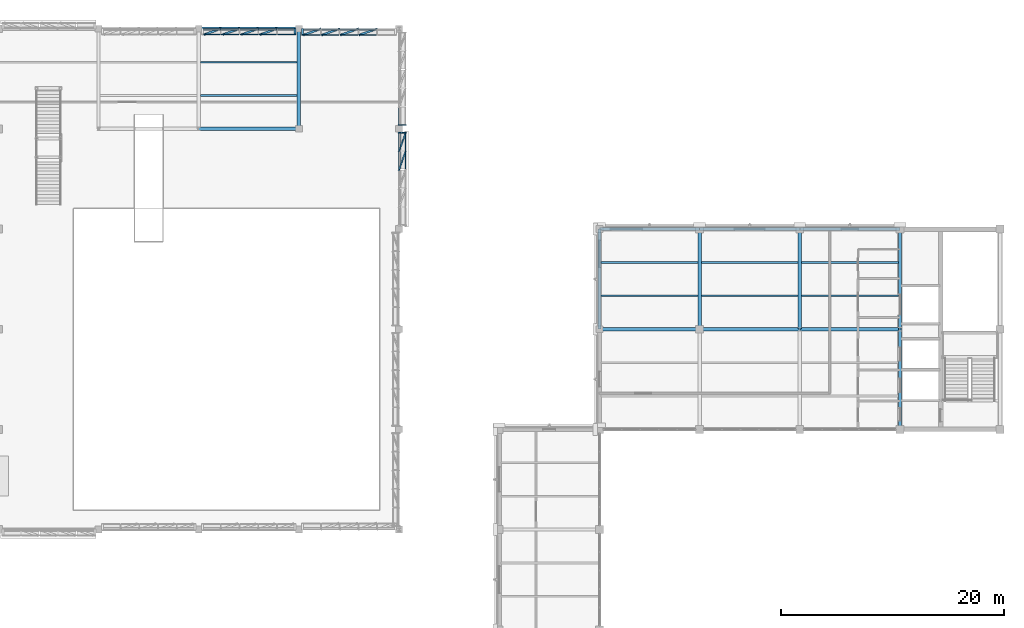
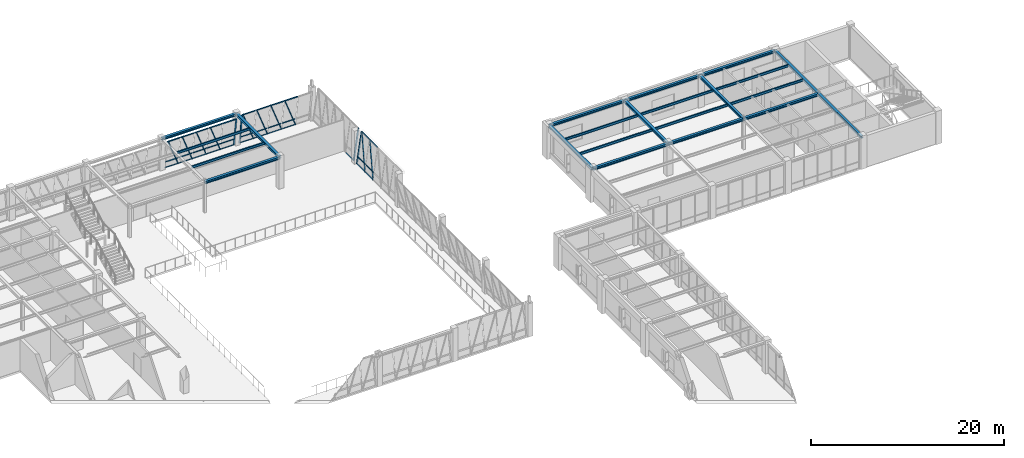
# One storey, part 72 of 108: 48 members, 22 beams, 4 elements without a shape of their own.
"""IFC4 building model written with IfcOpenShell, lengths in metres."""

from ifc_helpers import new_model, si_unit, direction, frame, origin, origin_2d, place, context, subcontext, project, spatial, hollow_rectangle, i_section, extrude, material, material_profile, profile_set, type_object, element, aggregate, save


model = new_model("IFC4")

# Units and contexts
model_context = context("Model", 3, precision=1e-05, world=origin(), true_north=direction((0.0, 1.0)))
body_context = subcontext(model_context, "Body", "Model", "MODEL_VIEW")
ifc_project = project(units=[si_unit("LENGTHUNIT", "METRE"), si_unit("AREAUNIT", "SQUARE_METRE"), si_unit("VOLUMEUNIT", "CUBIC_METRE"), si_unit("PLANEANGLEUNIT", "RADIAN"), si_unit("MASSUNIT", "GRAM", prefix="KILO")], contexts=[model_context])

# Site, building, storey
site_placement = place(None, origin())
site = spatial("IfcSite", under=ifc_project, at=site_placement, CompositionType="ELEMENT")
building_placement = place(site_placement, origin())
building = spatial("IfcBuilding", under=site, at=building_placement, Name="Lykobir Media Centre", CompositionType="ELEMENT")
storey_placement = place(building_placement, frame((0.0, 0.0, 15.0)))
storey = spatial("IfcBuildingStorey", under=building, at=storey_placement, Name="L03", CompositionType="ELEMENT", Elevation=15.0)

# Beams
ifc_material_1 = material(Name="Steel S355", Category="steel")
ifc_material_profile_1 = material_profile(ifc_material_1, i_section(OverallWidth=0.300048828125, OverallDepth=0.31005859375, WebThickness=0.009033203125, FlangeThickness=0.015380859375, at=origin_2d()), Name="HEA 320")
ifc_profile_set_1 = profile_set([ifc_material_profile_1], Name="Steel S355")
beam_type_1 = type_object("IfcBeamType", Name="BM-HEA320", PredefinedType="BEAM", material=ifc_profile_set_1)
for number, where, z_axis, x_axis, name in (
    (1, (72.0, 99.0, 3.804931640625), (0.0, 1.0, 0.0), (-1.0, 0.0, 0.0), "Beam BM-L03-0720-0990-0720-1080-1880"),
    (2, (99.0, 81.0, 3.804931640625), (0.0, 1.0, 0.0), (-1.0, 0.0, 0.0), "Beam BM-L03-0990-0810-0990-0900-1880"),
    (3, (108.0, 81.0, 3.804931640625), (0.0, 1.0, 0.0), (-1.0, 0.0, 0.0), "Beam BM-L03-1080-0810-1080-0900-1880"),
    (4, (117.0, 81.0, 3.804931640625), (0.0, 1.0, 0.0), (-1.0, 0.0, 0.0), "Beam BM-L03-1170-0810-1170-0900-1880"),
    (5, (126.0, 72.0, 3.804931640625), (0.0, 1.0, 0.0), (-1.0, 0.0, 0.0), "Beam BM-L03-1260-0720-1260-0810-1880"),
    (6, (126.0, 81.0, 3.804931640625), (0.0, 1.0, 0.0), (-1.0, 0.0, 0.0), "Beam BM-L03-1260-0810-1260-0900-1880"),
):
    element("IfcBeam", number, at=place(storey_placement, frame(where, z_axis=z_axis, x_axis=x_axis)), inside=storey, type_object=beam_type_1, Name=name, PredefinedType="BEAM", context=body_context, shape_type="SweptSolid", body=[
        extrude(i_section(OverallWidth=0.300048828125, OverallDepth=0.31005859375, WebThickness=0.009033203125, FlangeThickness=0.015380859375, at=origin_2d()), origin(), (0.0, 0.0, 1.0), 9.0),
    ])
ifc_material_profile_2 = material_profile(ifc_material_1, i_section(OverallWidth=0.300048828125, OverallDepth=0.330078125, WebThickness=0.009521484375, FlangeThickness=0.0166015625, at=origin_2d()), Name="HEA 340")
ifc_profile_set_2 = profile_set([ifc_material_profile_2], Name="Steel S355")
beam_type_2 = type_object("IfcBeamType", Name="BM-HEA340", PredefinedType="BEAM", material=ifc_profile_set_2)
for number, where, z_axis, x_axis, name in (
    (7, (99.0, 81.0, 3.794921875), (1.0, 0.0, 0.0), (0.0, 1.0, 0.0), "Beam BM-L03-0990-0810-1080-0810-1880"),
    (8, (108.0, 81.0, 3.794921875), (1.0, 0.0, 0.0), (0.0, 1.0, 0.0), "Beam BM-L03-1080-0810-1170-0810-1880"),
    (9, (117.0, 81.0, 3.794921875), (1.0, 0.0, 0.0), (0.0, 1.0, 0.0), "Beam BM-L03-1170-0810-1260-0810-1880"),
    (10, (63.0, 99.0, 3.794921875), (1.0, 0.0, 0.0), (0.0, 1.0, 0.0), "Beam BM-L03-0630-0990-0720-0990-1880"),
):
    element("IfcBeam", number, at=place(storey_placement, frame(where, z_axis=z_axis, x_axis=x_axis)), inside=storey, type_object=beam_type_2, Name=name, PredefinedType="BEAM", context=body_context, shape_type="SweptSolid", body=[
        extrude(i_section(OverallWidth=0.300048828125, OverallDepth=0.330078125, WebThickness=0.009521484375, FlangeThickness=0.0166015625, at=origin_2d()), origin(), (0.0, 0.0, 1.0), 9.0),
    ])

# Curtain wall, members
ifc_material_2 = material(Name="Anodized Aluminium AW-6060", Category="aluminium")
curtain_wall_type = type_object("IfcCurtainWallType", Name="CW-V6-CR3", PredefinedType="NOTDEFINED", material=ifc_material_2)
curtain_wall_1_placement = place(storey_placement, origin())
curtain_wall_1 = element("IfcCurtainWall", 11, at=curtain_wall_1_placement, inside=storey, type_object=curtain_wall_type, Name="Curtain wall CW2-L03-0128", PredefinedType="NOTDEFINED")
ifc_material_profile_3 = material_profile(ifc_material_2, hollow_rectangle(XDim=0.074951171875, YDim=0.179931640625, WallThickness=0.00390625, at=origin_2d()), Name="ALU MULLION 75x180")
ifc_profile_set_3 = profile_set([ifc_material_profile_3], Name="Anodized Aluminium AW-6060")
member_type_1 = type_object("IfcMemberType", Name="CWM-180", PredefinedType="MULLION", material=ifc_profile_set_3)
member_1_placement = place(storey_placement, frame((81.0, 95.339111328125, 0.0), z_axis=(0.132271466696, 0.374579600655, 0.917711491631), x_axis=(0.942937465835, -0.332969871798, 0.0)))
member_1 = element("IfcMember", 12, at=member_1_placement, type_object=member_type_1, Name="CW2-L03-0128 mullion 4", PredefinedType="MULLION", context=body_context, shape_type="SweptSolid", body=[
    extrude(hollow_rectangle(XDim=0.074951171875, YDim=0.179931640625, WallThickness=0.00390625, at=origin_2d()), origin(), (0.0, 0.0, 1.0), 4.293212890625),
])
member_2_placement = place(storey_placement, frame((81.0, 97.01708984375, 0.0), z_axis=(0.132760683435, 0.365976570158, 0.921105721961), x_axis=(0.94005853495, -0.341013124188, 0.0)))
member_2 = element("IfcMember", 13, at=member_2_placement, type_object=member_type_1, Name="CW2-L03-0128 mullion 5", PredefinedType="MULLION", context=body_context, shape_type="SweptSolid", body=[
    extrude(hollow_rectangle(XDim=0.074951171875, YDim=0.179931640625, WallThickness=0.00390625, at=origin_2d()), origin(), (0.0, 0.0, 1.0), 4.27734375),
])
member_3_placement = place(storey_placement, frame((81.0, 98.657470703125, 0.0), z_axis=(0.142657694389, 0.0, 0.989772086003), x_axis=(0.0, -1.0, 0.0)))
member_3 = element("IfcMember", 14, at=member_3_placement, type_object=member_type_1, Name="CW2-L03-0128 mullion 6", PredefinedType="MULLION", context=body_context, shape_type="SweptSolid", body=[
    extrude(hollow_rectangle(XDim=0.074951171875, YDim=0.179931640625, WallThickness=0.00390625, at=origin_2d()), origin(), (0.0, 0.0, 1.0), 3.980712890625),
])

# Curtain wall, member
curtain_wall_2_placement = place(storey_placement, origin())
curtain_wall_2 = element("IfcCurtainWall", 15, at=curtain_wall_2_placement, inside=storey, type_object=curtain_wall_type, Name="Curtain wall CW2-L03-0129", PredefinedType="NOTDEFINED")
member_4_placement = place(storey_placement, frame((81.0, 99.342529296875, 0.0), z_axis=(0.142657694389, 0.0, 0.989772086003), x_axis=(0.0, -1.0, 0.0)))
member_4 = element("IfcMember", 16, at=member_4_placement, type_object=member_type_1, Name="CW2-L03-0129 mullion 1", PredefinedType="MULLION", context=body_context, shape_type="SweptSolid", body=[
    extrude(hollow_rectangle(XDim=0.074951171875, YDim=0.179931640625, WallThickness=0.00390625, at=origin_2d()), origin(), (0.0, 0.0, 1.0), 3.980712890625),
])

# Curtain wall, members
curtain_wall_3_placement = place(storey_placement, origin())
curtain_wall_3 = element("IfcCurtainWall", 17, at=curtain_wall_3_placement, inside=storey, type_object=curtain_wall_type, Name="Curtain wall CW2-L03-0133", PredefinedType="NOTDEFINED")
member_5_placement = place(storey_placement, frame((64.98291015625, 108.0, 0.0), z_axis=(-0.374572027629, -0.132212769337, 0.917723040869), x_axis=(0.865396069103, 0.305459037062, 0.397220870874)))
member_5 = element("IfcMember", 18, at=member_5_placement, type_object=member_type_1, Name="CW2-L03-0133 mullion 2", PredefinedType="MULLION", context=body_context, shape_type="SweptSolid", body=[
    extrude(hollow_rectangle(XDim=0.074951171875, YDim=0.179931640625, WallThickness=0.00390625, at=origin_2d()), origin(), (0.0, 0.0, 1.0), 3.9609375),
])
member_6_placement = place(storey_placement, frame((66.660888671875, 108.0, 0.0), z_axis=(-0.374572027629, -0.132212769337, 0.917723040869), x_axis=(0.865396069103, 0.305459037062, 0.397220870874)))
member_6 = element("IfcMember", 19, at=member_6_placement, type_object=member_type_1, Name="CW2-L03-0133 mullion 3", PredefinedType="MULLION", context=body_context, shape_type="SweptSolid", body=[
    extrude(hollow_rectangle(XDim=0.074951171875, YDim=0.179931640625, WallThickness=0.00390625, at=origin_2d()), origin(), (0.0, 0.0, 1.0), 3.9609375),
])
member_7_placement = place(storey_placement, frame((68.339111328125, 108.0, 0.0), z_axis=(-0.374625015426, -0.132209716698, 0.917701851708), x_axis=(0.865391860701, 0.305407295361, 0.397269821875)))
member_7 = element("IfcMember", 20, at=member_7_placement, type_object=member_type_1, Name="CW2-L03-0133 mullion 4", PredefinedType="MULLION", context=body_context, shape_type="SweptSolid", body=[
    extrude(hollow_rectangle(XDim=0.074951171875, YDim=0.179931640625, WallThickness=0.00390625, at=origin_2d()), origin(), (0.0, 0.0, 1.0), 3.9609375),
])
member_8_placement = place(storey_placement, frame((70.01708984375, 108.0, 0.0), z_axis=(-0.374625015426, -0.132209716698, 0.917701851708), x_axis=(0.865391860701, 0.305407295361, 0.397269821875)))
member_8 = element("IfcMember", 21, at=member_8_placement, type_object=member_type_1, Name="CW2-L03-0133 mullion 5", PredefinedType="MULLION", context=body_context, shape_type="SweptSolid", body=[
    extrude(hollow_rectangle(XDim=0.074951171875, YDim=0.179931640625, WallThickness=0.00390625, at=origin_2d()), origin(), (0.0, 0.0, 1.0), 3.9609375),
])
member_9_placement = place(storey_placement, frame((71.657470703125, 108.0, 0.0), z_axis=(0.0, -0.142593917485, 0.98978127619), x_axis=(0.0, 0.98978127619, 0.142593917485)))
member_9 = element("IfcMember", 22, at=member_9_placement, type_object=member_type_1, Name="CW2-L03-0133 mullion 6", PredefinedType="MULLION", context=body_context, shape_type="SweptSolid", body=[
    extrude(hollow_rectangle(XDim=0.074951171875, YDim=0.179931640625, WallThickness=0.00390625, at=origin_2d()), origin(), (0.0, 0.0, 1.0), 3.672607421875),
])

curtain_wall_4_placement = place(storey_placement, origin())
curtain_wall_4 = element("IfcCurtainWall", 23, at=curtain_wall_4_placement, inside=storey, type_object=curtain_wall_type, Name="Curtain wall CW2-L03-0134", PredefinedType="NOTDEFINED")
member_10_placement = place(storey_placement, frame((72.342529296875, 108.0, 0.0), z_axis=(0.0, -0.142657694389, 0.989772086003), x_axis=(0.0, 0.989772086003, 0.142657694389)))
member_10 = element("IfcMember", 24, at=member_10_placement, type_object=member_type_1, Name="CW2-L03-0134 mullion 1", PredefinedType="MULLION", context=body_context, shape_type="SweptSolid", body=[
    extrude(hollow_rectangle(XDim=0.074951171875, YDim=0.179931640625, WallThickness=0.00390625, at=origin_2d()), origin(), (0.0, 0.0, 1.0), 3.980712890625),
])
member_11_placement = place(storey_placement, frame((73.98291015625, 108.0, 0.0), z_axis=(-0.365976570158, -0.132760683435, 0.921105721961), x_axis=(0.86589329552, 0.314109139953, 0.389312533796)))
member_11 = element("IfcMember", 25, at=member_11_placement, type_object=member_type_1, Name="CW2-L03-0134 mullion 2", PredefinedType="MULLION", context=body_context, shape_type="SweptSolid", body=[
    extrude(hollow_rectangle(XDim=0.074951171875, YDim=0.179931640625, WallThickness=0.00390625, at=origin_2d()), origin(), (0.0, 0.0, 1.0), 4.27734375),
])
member_12_placement = place(storey_placement, frame((75.660888671875, 108.0, 0.0), z_axis=(-0.374579600655, -0.132271466696, 0.917711491631), x_axis=(0.865344548286, 0.305570277716, 0.397247552703)))
member_12 = element("IfcMember", 26, at=member_12_placement, type_object=member_type_1, Name="CW2-L03-0134 mullion 3", PredefinedType="MULLION", context=body_context, shape_type="SweptSolid", body=[
    extrude(hollow_rectangle(XDim=0.074951171875, YDim=0.179931640625, WallThickness=0.00390625, at=origin_2d()), origin(), (0.0, 0.0, 1.0), 4.293212890625),
])
member_13_placement = place(storey_placement, frame((77.339111328125, 108.0, 0.0), z_axis=(-0.374628486657, -0.132268649053, 0.917691942573), x_axis=(0.865340676514, 0.305522527865, 0.397292711407)))
member_13 = element("IfcMember", 27, at=member_13_placement, type_object=member_type_1, Name="CW2-L03-0134 mullion 4", PredefinedType="MULLION", context=body_context, shape_type="SweptSolid", body=[
    extrude(hollow_rectangle(XDim=0.074951171875, YDim=0.179931640625, WallThickness=0.00390625, at=origin_2d()), origin(), (0.0, 0.0, 1.0), 4.293212890625),
])
member_14_placement = place(storey_placement, frame((79.01708984375, 108.0, 0.0), z_axis=(-0.374628486657, -0.132268649053, 0.917691942573), x_axis=(0.865340676514, 0.305522527865, 0.397292711407)))
member_14 = element("IfcMember", 28, at=member_14_placement, type_object=member_type_1, Name="CW2-L03-0134 mullion 5", PredefinedType="MULLION", context=body_context, shape_type="SweptSolid", body=[
    extrude(hollow_rectangle(XDim=0.074951171875, YDim=0.179931640625, WallThickness=0.00390625, at=origin_2d()), origin(), (0.0, 0.0, 1.0), 4.293212890625),
])

# Member
ifc_material_profile_4 = material_profile(ifc_material_2, hollow_rectangle(XDim=0.074951171875, YDim=0.14990234375, WallThickness=0.00341796875, at=origin_2d()), Name="ALU TRANSOM 75x150")
ifc_profile_set_4 = profile_set([ifc_material_profile_4], Name="Anodized Aluminium AW-6060")
member_type_2 = type_object("IfcMemberType", Name="CWT-150", PredefinedType="USERDEFINED", material=ifc_profile_set_4)
member_15_placement = place(storey_placement, frame((81.00537109375, 95.37646484375, 0.037109375), z_axis=(0.0, 1.0, 0.0), x_axis=(-0.989776230908, 0.0, 0.142628933706)))
member_15 = element("IfcMember", 29, at=member_15_placement, type_object=member_type_2, Name="CW2-L03-0128 transom 4.1", ObjectType="TRANSOM", PredefinedType="USERDEFINED", context=body_context, shape_type="SweptSolid", body=[
    extrude(hollow_rectangle(XDim=0.074951171875, YDim=0.14990234375, WallThickness=0.00341796875, at=origin_2d()), origin(), (0.0, 0.0, 1.0), 1.60302734375),
])

member_16_placement = place(storey_placement, frame((81.12109375, 95.37646484375, 0.84130859375), z_axis=(0.0, 1.0, 0.0), x_axis=(-0.989776230908, 0.0, 0.142628933706)))
member_16 = element("IfcMember", 30, at=member_16_placement, type_object=member_type_2, Name="CW2-L03-0128 transom 4.2", ObjectType="TRANSOM", PredefinedType="USERDEFINED", context=body_context, shape_type="SweptSolid", body=[
    extrude(hollow_rectangle(XDim=0.074951171875, YDim=0.14990234375, WallThickness=0.00341796875, at=origin_2d()), origin(), (0.0, 0.0, 1.0), 1.60302734375),
])

member_17_placement = place(storey_placement, frame((81.5625, 95.37646484375, 3.90283203125), z_axis=(0.0, 1.0, 0.0), x_axis=(-0.989776230908, 0.0, 0.142628933706)))
member_17 = element("IfcMember", 31, at=member_17_placement, type_object=member_type_2, Name="CW2-L03-0128 transom 4.3", ObjectType="TRANSOM", PredefinedType="USERDEFINED", context=body_context, shape_type="SweptSolid", body=[
    extrude(hollow_rectangle(XDim=0.074951171875, YDim=0.14990234375, WallThickness=0.00341796875, at=origin_2d()), origin(), (0.0, 0.0, 1.0), 1.60302734375),
])

member_18_placement = place(storey_placement, frame((81.00537109375, 97.054443359375, 0.037109375), z_axis=(0.0, 1.0, 0.0), x_axis=(-0.989776230908, 0.0, 0.142628933706)))
member_18 = element("IfcMember", 32, at=member_18_placement, type_object=member_type_2, Name="CW2-L03-0128 transom 5.1", ObjectType="TRANSOM", PredefinedType="USERDEFINED", context=body_context, shape_type="SweptSolid", body=[
    extrude(hollow_rectangle(XDim=0.074951171875, YDim=0.14990234375, WallThickness=0.00341796875, at=origin_2d()), origin(), (0.0, 0.0, 1.0), 1.565673828125),
])

member_19_placement = place(storey_placement, frame((81.12109375, 97.054443359375, 0.84130859375), z_axis=(0.0, 1.0, 0.0), x_axis=(-0.989776230908, 0.0, 0.142628933706)))
member_19 = element("IfcMember", 33, at=member_19_placement, type_object=member_type_2, Name="CW2-L03-0128 transom 5.2", ObjectType="TRANSOM", PredefinedType="USERDEFINED", context=body_context, shape_type="SweptSolid", body=[
    extrude(hollow_rectangle(XDim=0.074951171875, YDim=0.14990234375, WallThickness=0.00341796875, at=origin_2d()), origin(), (0.0, 0.0, 1.0), 1.565673828125),
])

member_20_placement = place(storey_placement, frame((81.5625, 97.054443359375, 3.90283203125), z_axis=(0.0, 1.0, 0.0), x_axis=(-0.989776230908, 0.0, 0.142628933706)))
member_20 = element("IfcMember", 34, at=member_20_placement, type_object=member_type_2, Name="CW2-L03-0128 transom 5.3", ObjectType="TRANSOM", PredefinedType="USERDEFINED", context=body_context, shape_type="SweptSolid", body=[
    extrude(hollow_rectangle(XDim=0.074951171875, YDim=0.14990234375, WallThickness=0.00341796875, at=origin_2d()), origin(), (0.0, 0.0, 1.0), 1.565673828125),
])

aggregate(curtain_wall_1, [member_1, member_2, member_3, member_15, member_16, member_17, member_18, member_19, member_20])

member_21_placement = place(storey_placement, frame((81.00537109375, 99.3798828125, 0.037109375), z_axis=(0.0, 1.0, 0.0), x_axis=(-0.989776230908, 0.0, 0.142628933706)))
member_21 = element("IfcMember", 35, at=member_21_placement, type_object=member_type_2, Name="CW2-L03-0129 transom 1.1", ObjectType="TRANSOM", PredefinedType="USERDEFINED", context=body_context, shape_type="SweptSolid", body=[
    extrude(hollow_rectangle(XDim=0.074951171875, YDim=0.14990234375, WallThickness=0.00341796875, at=origin_2d()), origin(), (0.0, 0.0, 1.0), 1.565673828125),
])

aggregate(curtain_wall_2, [member_4, member_21])

member_22_placement = place(storey_placement, frame((63.3798828125, 107.99462890625, 0.037109375), z_axis=(1.0, 0.0, 0.0), x_axis=(0.0, 0.989776230908, 0.142628933706)))
member_22 = element("IfcMember", 36, at=member_22_placement, type_object=member_type_2, Name="CW2-L03-0133 transom 1.1", ObjectType="TRANSOM", PredefinedType="USERDEFINED", context=body_context, shape_type="SweptSolid", body=[
    extrude(hollow_rectangle(XDim=0.074951171875, YDim=0.14990234375, WallThickness=0.00341796875, at=origin_2d()), origin(), (0.0, 0.0, 1.0), 1.565673828125),
])

member_23_placement = place(storey_placement, frame((63.3798828125, 107.87890625, 0.84130859375), z_axis=(1.0, 0.0, 0.0), x_axis=(0.0, 0.989776230908, 0.142628933706)))
member_23 = element("IfcMember", 37, at=member_23_placement, type_object=member_type_2, Name="CW2-L03-0133 transom 1.2", ObjectType="TRANSOM", PredefinedType="USERDEFINED", context=body_context, shape_type="SweptSolid", body=[
    extrude(hollow_rectangle(XDim=0.074951171875, YDim=0.14990234375, WallThickness=0.00341796875, at=origin_2d()), origin(), (0.0, 0.0, 1.0), 1.565673828125),
])

member_24_placement = place(storey_placement, frame((63.3798828125, 107.4814453125, 3.597900390625), z_axis=(1.0, 0.0, 0.0), x_axis=(0.0, 0.989776230908, 0.142628933706)))
member_24 = element("IfcMember", 38, at=member_24_placement, type_object=member_type_2, Name="CW2-L03-0133 transom 1.3", ObjectType="TRANSOM", PredefinedType="USERDEFINED", context=body_context, shape_type="SweptSolid", body=[
    extrude(hollow_rectangle(XDim=0.074951171875, YDim=0.14990234375, WallThickness=0.00341796875, at=origin_2d()), origin(), (0.0, 0.0, 1.0), 1.565673828125),
])

member_25_placement = place(storey_placement, frame((65.0205078125, 107.99462890625, 0.037109375), z_axis=(1.0, 0.0, 0.0), x_axis=(0.0, 0.989776230908, 0.142628933706)))
member_25 = element("IfcMember", 39, at=member_25_placement, type_object=member_type_2, Name="CW2-L03-0133 transom 2.1", ObjectType="TRANSOM", PredefinedType="USERDEFINED", context=body_context, shape_type="SweptSolid", body=[
    extrude(hollow_rectangle(XDim=0.074951171875, YDim=0.14990234375, WallThickness=0.00341796875, at=origin_2d()), origin(), (0.0, 0.0, 1.0), 1.60302734375),
])

member_26_placement = place(storey_placement, frame((65.0205078125, 107.87890625, 0.84130859375), z_axis=(1.0, 0.0, 0.0), x_axis=(0.0, 0.989776230908, 0.142628933706)))
member_26 = element("IfcMember", 40, at=member_26_placement, type_object=member_type_2, Name="CW2-L03-0133 transom 2.2", ObjectType="TRANSOM", PredefinedType="USERDEFINED", context=body_context, shape_type="SweptSolid", body=[
    extrude(hollow_rectangle(XDim=0.074951171875, YDim=0.14990234375, WallThickness=0.00341796875, at=origin_2d()), origin(), (0.0, 0.0, 1.0), 1.60302734375),
])

member_27_placement = place(storey_placement, frame((65.0205078125, 107.4814453125, 3.597900390625), z_axis=(1.0, 0.0, 0.0), x_axis=(0.0, 0.989776230908, 0.142628933706)))
member_27 = element("IfcMember", 41, at=member_27_placement, type_object=member_type_2, Name="CW2-L03-0133 transom 2.3", ObjectType="TRANSOM", PredefinedType="USERDEFINED", context=body_context, shape_type="SweptSolid", body=[
    extrude(hollow_rectangle(XDim=0.074951171875, YDim=0.14990234375, WallThickness=0.00341796875, at=origin_2d()), origin(), (0.0, 0.0, 1.0), 1.60302734375),
])

member_28_placement = place(storey_placement, frame((66.698486328125, 107.99462890625, 0.037109375), z_axis=(1.0, 0.0, 0.0), x_axis=(0.0, 0.989776230908, 0.142628933706)))
member_28 = element("IfcMember", 42, at=member_28_placement, type_object=member_type_2, Name="CW2-L03-0133 transom 3.1", ObjectType="TRANSOM", PredefinedType="USERDEFINED", context=body_context, shape_type="SweptSolid", body=[
    extrude(hollow_rectangle(XDim=0.074951171875, YDim=0.14990234375, WallThickness=0.00341796875, at=origin_2d()), origin(), (0.0, 0.0, 1.0), 1.60302734375),
])

member_29_placement = place(storey_placement, frame((66.698486328125, 107.87890625, 0.84130859375), z_axis=(1.0, 0.0, 0.0), x_axis=(0.0, 0.989776230908, 0.142628933706)))
member_29 = element("IfcMember", 43, at=member_29_placement, type_object=member_type_2, Name="CW2-L03-0133 transom 3.2", ObjectType="TRANSOM", PredefinedType="USERDEFINED", context=body_context, shape_type="SweptSolid", body=[
    extrude(hollow_rectangle(XDim=0.074951171875, YDim=0.14990234375, WallThickness=0.00341796875, at=origin_2d()), origin(), (0.0, 0.0, 1.0), 1.60302734375),
])

member_30_placement = place(storey_placement, frame((66.698486328125, 107.4814453125, 3.597900390625), z_axis=(1.0, 0.0, 0.0), x_axis=(0.0, 0.989776230908, 0.142628933706)))
member_30 = element("IfcMember", 44, at=member_30_placement, type_object=member_type_2, Name="CW2-L03-0133 transom 3.3", ObjectType="TRANSOM", PredefinedType="USERDEFINED", context=body_context, shape_type="SweptSolid", body=[
    extrude(hollow_rectangle(XDim=0.074951171875, YDim=0.14990234375, WallThickness=0.00341796875, at=origin_2d()), origin(), (0.0, 0.0, 1.0), 1.60302734375),
])

member_31_placement = place(storey_placement, frame((68.37646484375, 107.99462890625, 0.037109375), z_axis=(1.0, 0.0, 0.0), x_axis=(0.0, 0.989776230908, 0.142628933706)))
member_31 = element("IfcMember", 45, at=member_31_placement, type_object=member_type_2, Name="CW2-L03-0133 transom 4.1", ObjectType="TRANSOM", PredefinedType="USERDEFINED", context=body_context, shape_type="SweptSolid", body=[
    extrude(hollow_rectangle(XDim=0.074951171875, YDim=0.14990234375, WallThickness=0.00341796875, at=origin_2d()), origin(), (0.0, 0.0, 1.0), 1.60302734375),
])

member_32_placement = place(storey_placement, frame((68.37646484375, 107.87890625, 0.84130859375), z_axis=(1.0, 0.0, 0.0), x_axis=(0.0, 0.989776230908, 0.142628933706)))
member_32 = element("IfcMember", 46, at=member_32_placement, type_object=member_type_2, Name="CW2-L03-0133 transom 4.2", ObjectType="TRANSOM", PredefinedType="USERDEFINED", context=body_context, shape_type="SweptSolid", body=[
    extrude(hollow_rectangle(XDim=0.074951171875, YDim=0.14990234375, WallThickness=0.00341796875, at=origin_2d()), origin(), (0.0, 0.0, 1.0), 1.60302734375),
])

member_33_placement = place(storey_placement, frame((68.37646484375, 107.4814453125, 3.597900390625), z_axis=(1.0, 0.0, 0.0), x_axis=(0.0, 0.989776230908, 0.142628933706)))
member_33 = element("IfcMember", 47, at=member_33_placement, type_object=member_type_2, Name="CW2-L03-0133 transom 4.3", ObjectType="TRANSOM", PredefinedType="USERDEFINED", context=body_context, shape_type="SweptSolid", body=[
    extrude(hollow_rectangle(XDim=0.074951171875, YDim=0.14990234375, WallThickness=0.00341796875, at=origin_2d()), origin(), (0.0, 0.0, 1.0), 1.60302734375),
])

member_34_placement = place(storey_placement, frame((70.054443359375, 107.99462890625, 0.037109375), z_axis=(1.0, 0.0, 0.0), x_axis=(0.0, 0.989776230908, 0.142628933706)))
member_34 = element("IfcMember", 48, at=member_34_placement, type_object=member_type_2, Name="CW2-L03-0133 transom 5.1", ObjectType="TRANSOM", PredefinedType="USERDEFINED", context=body_context, shape_type="SweptSolid", body=[
    extrude(hollow_rectangle(XDim=0.074951171875, YDim=0.14990234375, WallThickness=0.00341796875, at=origin_2d()), origin(), (0.0, 0.0, 1.0), 1.565673828125),
])

member_35_placement = place(storey_placement, frame((70.054443359375, 107.87890625, 0.84130859375), z_axis=(1.0, 0.0, 0.0), x_axis=(0.0, 0.989776230908, 0.142628933706)))
member_35 = element("IfcMember", 49, at=member_35_placement, type_object=member_type_2, Name="CW2-L03-0133 transom 5.2", ObjectType="TRANSOM", PredefinedType="USERDEFINED", context=body_context, shape_type="SweptSolid", body=[
    extrude(hollow_rectangle(XDim=0.074951171875, YDim=0.14990234375, WallThickness=0.00341796875, at=origin_2d()), origin(), (0.0, 0.0, 1.0), 1.565673828125),
])

member_36_placement = place(storey_placement, frame((70.054443359375, 107.4814453125, 3.597900390625), z_axis=(1.0, 0.0, 0.0), x_axis=(0.0, 0.989776230908, 0.142628933706)))
member_36 = element("IfcMember", 50, at=member_36_placement, type_object=member_type_2, Name="CW2-L03-0133 transom 5.3", ObjectType="TRANSOM", PredefinedType="USERDEFINED", context=body_context, shape_type="SweptSolid", body=[
    extrude(hollow_rectangle(XDim=0.074951171875, YDim=0.14990234375, WallThickness=0.00341796875, at=origin_2d()), origin(), (0.0, 0.0, 1.0), 1.565673828125),
])

aggregate(curtain_wall_3, [member_5, member_6, member_7, member_8, member_9, member_22, member_23, member_24, member_25, member_26, member_27, member_28, member_29, member_30, member_31, member_32, member_33, member_34, member_35, member_36])

member_37_placement = place(storey_placement, frame((72.3798828125, 107.99462890625, 0.037109375), z_axis=(1.0, 0.0, 0.0), x_axis=(0.0, 0.989776230908, 0.142628933706)))
member_37 = element("IfcMember", 51, at=member_37_placement, type_object=member_type_2, Name="CW2-L03-0134 transom 1.1", ObjectType="TRANSOM", PredefinedType="USERDEFINED", context=body_context, shape_type="SweptSolid", body=[
    extrude(hollow_rectangle(XDim=0.074951171875, YDim=0.14990234375, WallThickness=0.00341796875, at=origin_2d()), origin(), (0.0, 0.0, 1.0), 1.565673828125),
])

member_38_placement = place(storey_placement, frame((72.3798828125, 107.87890625, 0.84130859375), z_axis=(1.0, 0.0, 0.0), x_axis=(0.0, 0.989776230908, 0.142628933706)))
member_38 = element("IfcMember", 52, at=member_38_placement, type_object=member_type_2, Name="CW2-L03-0134 transom 1.2", ObjectType="TRANSOM", PredefinedType="USERDEFINED", context=body_context, shape_type="SweptSolid", body=[
    extrude(hollow_rectangle(XDim=0.074951171875, YDim=0.14990234375, WallThickness=0.00341796875, at=origin_2d()), origin(), (0.0, 0.0, 1.0), 1.565673828125),
])

member_39_placement = place(storey_placement, frame((72.3798828125, 107.4375, 3.90283203125), z_axis=(1.0, 0.0, 0.0), x_axis=(0.0, 0.989776230908, 0.142628933706)))
member_39 = element("IfcMember", 53, at=member_39_placement, type_object=member_type_2, Name="CW2-L03-0134 transom 1.3", ObjectType="TRANSOM", PredefinedType="USERDEFINED", context=body_context, shape_type="SweptSolid", body=[
    extrude(hollow_rectangle(XDim=0.074951171875, YDim=0.14990234375, WallThickness=0.00341796875, at=origin_2d()), origin(), (0.0, 0.0, 1.0), 1.565673828125),
])

member_40_placement = place(storey_placement, frame((74.0205078125, 107.99462890625, 0.037109375), z_axis=(1.0, 0.0, 0.0), x_axis=(0.0, 0.989776230908, 0.142628933706)))
member_40 = element("IfcMember", 54, at=member_40_placement, type_object=member_type_2, Name="CW2-L03-0134 transom 2.1", ObjectType="TRANSOM", PredefinedType="USERDEFINED", context=body_context, shape_type="SweptSolid", body=[
    extrude(hollow_rectangle(XDim=0.074951171875, YDim=0.14990234375, WallThickness=0.00341796875, at=origin_2d()), origin(), (0.0, 0.0, 1.0), 1.60302734375),
])

member_41_placement = place(storey_placement, frame((74.0205078125, 107.87890625, 0.84130859375), z_axis=(1.0, 0.0, 0.0), x_axis=(0.0, 0.989776230908, 0.142628933706)))
member_41 = element("IfcMember", 55, at=member_41_placement, type_object=member_type_2, Name="CW2-L03-0134 transom 2.2", ObjectType="TRANSOM", PredefinedType="USERDEFINED", context=body_context, shape_type="SweptSolid", body=[
    extrude(hollow_rectangle(XDim=0.074951171875, YDim=0.14990234375, WallThickness=0.00341796875, at=origin_2d()), origin(), (0.0, 0.0, 1.0), 1.60302734375),
])

member_42_placement = place(storey_placement, frame((74.0205078125, 107.4375, 3.90283203125), z_axis=(1.0, 0.0, 0.0), x_axis=(0.0, 0.989776230908, 0.142628933706)))
member_42 = element("IfcMember", 56, at=member_42_placement, type_object=member_type_2, Name="CW2-L03-0134 transom 2.3", ObjectType="TRANSOM", PredefinedType="USERDEFINED", context=body_context, shape_type="SweptSolid", body=[
    extrude(hollow_rectangle(XDim=0.074951171875, YDim=0.14990234375, WallThickness=0.00341796875, at=origin_2d()), origin(), (0.0, 0.0, 1.0), 1.60302734375),
])

member_43_placement = place(storey_placement, frame((75.698486328125, 107.99462890625, 0.037109375), z_axis=(1.0, 0.0, 0.0), x_axis=(0.0, 0.989776230908, 0.142628933706)))
member_43 = element("IfcMember", 57, at=member_43_placement, type_object=member_type_2, Name="CW2-L03-0134 transom 3.1", ObjectType="TRANSOM", PredefinedType="USERDEFINED", context=body_context, shape_type="SweptSolid", body=[
    extrude(hollow_rectangle(XDim=0.074951171875, YDim=0.14990234375, WallThickness=0.00341796875, at=origin_2d()), origin(), (0.0, 0.0, 1.0), 1.60302734375),
])

member_44_placement = place(storey_placement, frame((75.698486328125, 107.87890625, 0.84130859375), z_axis=(1.0, 0.0, 0.0), x_axis=(0.0, 0.989776230908, 0.142628933706)))
member_44 = element("IfcMember", 58, at=member_44_placement, type_object=member_type_2, Name="CW2-L03-0134 transom 3.2", ObjectType="TRANSOM", PredefinedType="USERDEFINED", context=body_context, shape_type="SweptSolid", body=[
    extrude(hollow_rectangle(XDim=0.074951171875, YDim=0.14990234375, WallThickness=0.00341796875, at=origin_2d()), origin(), (0.0, 0.0, 1.0), 1.60302734375),
])

member_45_placement = place(storey_placement, frame((75.698486328125, 107.4375, 3.90283203125), z_axis=(1.0, 0.0, 0.0), x_axis=(0.0, 0.989776230908, 0.142628933706)))
member_45 = element("IfcMember", 59, at=member_45_placement, type_object=member_type_2, Name="CW2-L03-0134 transom 3.3", ObjectType="TRANSOM", PredefinedType="USERDEFINED", context=body_context, shape_type="SweptSolid", body=[
    extrude(hollow_rectangle(XDim=0.074951171875, YDim=0.14990234375, WallThickness=0.00341796875, at=origin_2d()), origin(), (0.0, 0.0, 1.0), 1.60302734375),
])

member_46_placement = place(storey_placement, frame((77.37646484375, 107.99462890625, 0.037109375), z_axis=(1.0, 0.0, 0.0), x_axis=(0.0, 0.989776230908, 0.142628933706)))
member_46 = element("IfcMember", 60, at=member_46_placement, type_object=member_type_2, Name="CW2-L03-0134 transom 4.1", ObjectType="TRANSOM", PredefinedType="USERDEFINED", context=body_context, shape_type="SweptSolid", body=[
    extrude(hollow_rectangle(XDim=0.074951171875, YDim=0.14990234375, WallThickness=0.00341796875, at=origin_2d()), origin(), (0.0, 0.0, 1.0), 1.60302734375),
])

member_47_placement = place(storey_placement, frame((77.37646484375, 107.87890625, 0.84130859375), z_axis=(1.0, 0.0, 0.0), x_axis=(0.0, 0.989776230908, 0.142628933706)))
member_47 = element("IfcMember", 61, at=member_47_placement, type_object=member_type_2, Name="CW2-L03-0134 transom 4.2", ObjectType="TRANSOM", PredefinedType="USERDEFINED", context=body_context, shape_type="SweptSolid", body=[
    extrude(hollow_rectangle(XDim=0.074951171875, YDim=0.14990234375, WallThickness=0.00341796875, at=origin_2d()), origin(), (0.0, 0.0, 1.0), 1.60302734375),
])

member_48_placement = place(storey_placement, frame((77.37646484375, 107.4375, 3.90283203125), z_axis=(1.0, 0.0, 0.0), x_axis=(0.0, 0.989776230908, 0.142628933706)))
member_48 = element("IfcMember", 62, at=member_48_placement, type_object=member_type_2, Name="CW2-L03-0134 transom 4.3", ObjectType="TRANSOM", PredefinedType="USERDEFINED", context=body_context, shape_type="SweptSolid", body=[
    extrude(hollow_rectangle(XDim=0.074951171875, YDim=0.14990234375, WallThickness=0.00341796875, at=origin_2d()), origin(), (0.0, 0.0, 1.0), 1.60302734375),
])

aggregate(curtain_wall_4, [member_10, member_11, member_12, member_13, member_14, member_37, member_38, member_39, member_40, member_41, member_42, member_43, member_44, member_45, member_46, member_47, member_48])

# Beams
ifc_material_profile_5 = material_profile(ifc_material_1, i_section(OverallWidth=0.14990234375, OverallDepth=0.300048828125, WebThickness=0.007080078125, FlangeThickness=0.0107421875, at=origin_2d()), Name="IPE 300")
ifc_profile_set_5 = profile_set([ifc_material_profile_5], Name="Steel S355")
beam_type_3 = type_object("IfcBeamType", Name="JS-IPE300", PredefinedType="JOIST", material=ifc_profile_set_5)
for number, where, z_axis, x_axis, name in (
    (63, (63.14990234375, 102.0, 3.81005859375), (1.0, 0.0, 0.0), (0.0, 1.0, 0.0), "Beam BM-L03-0632-1020-0718-1020-1881"),
    (64, (63.14990234375, 105.0, 3.81005859375), (1.0, 0.0, 0.0), (0.0, 1.0, 0.0), "Beam BM-L03-0632-1050-0718-1050-1881"),
    (65, (99.14990234375, 84.0, 3.81005859375), (1.0, 0.0, 0.0), (0.0, 1.0, 0.0), "Beam BM-L03-0992-0840-1078-0840-1881"),
    (66, (99.14990234375, 87.0, 3.81005859375), (1.0, 0.0, 0.0), (0.0, 1.0, 0.0), "Beam BM-L03-0992-0870-1078-0870-1881"),
    (67, (108.14990234375, 84.0, 3.81005859375), (1.0, 0.0, 0.0), (0.0, 1.0, 0.0), "Beam BM-L03-1082-0840-1168-0840-1881"),
    (68, (108.14990234375, 87.0, 3.81005859375), (1.0, 0.0, 0.0), (0.0, 1.0, 0.0), "Beam BM-L03-1082-0870-1168-0870-1881"),
    (69, (117.14990234375, 84.0, 3.81005859375), (1.0, 0.0, 0.0), (0.0, 1.0, 0.0), "Beam BM-L03-1172-0840-1258-0840-1881"),
    (70, (117.14990234375, 87.0, 3.81005859375), (1.0, 0.0, 0.0), (0.0, 1.0, 0.0), "Beam BM-L03-1172-0870-1258-0870-1881"),
):
    element("IfcBeam", number, at=place(storey_placement, frame(where, z_axis=z_axis, x_axis=x_axis)), inside=storey, type_object=beam_type_3, Name=name, PredefinedType="JOIST", context=body_context, shape_type="SweptSolid", body=[
        extrude(i_section(OverallWidth=0.14990234375, OverallDepth=0.300048828125, WebThickness=0.007080078125, FlangeThickness=0.0107421875, at=origin_2d()), origin(), (0.0, 0.0, 1.0), 8.7001953125),
    ])
ifc_material_profile_6 = material_profile(ifc_material_1, i_section(OverallWidth=0.300048828125, OverallDepth=0.31005859375, WebThickness=0.009033203125, FlangeThickness=0.015380859375, at=origin_2d()), Name="HEA 320")
ifc_profile_set_6 = profile_set([ifc_material_profile_6], Name="Steel S355")
beam_type_4 = type_object("IfcBeamType", Name="SP-HEA320", PredefinedType="SPANDREL", material=ifc_profile_set_6)
for number, where, z_axis, x_axis, name in (
    (71, (99.0, 90.0, 3.804931640625), (1.0, 0.0, 0.0), (0.0, 1.0, 0.0), "Beam BM-L03-0990-0900-1080-0900-1880"),
    (72, (108.0, 90.0, 3.804931640625), (1.0, 0.0, 0.0), (0.0, 1.0, 0.0), "Beam BM-L03-1080-0900-1170-0900-1880"),
    (73, (117.0, 90.0, 3.804931640625), (1.0, 0.0, 0.0), (0.0, 1.0, 0.0), "Beam BM-L03-1170-0900-1260-0900-1880"),
    (74, (63.0, 108.0, 3.804931640625), (1.0, 0.0, 0.0), (0.0, 1.0, 0.0), "Beam BM-L03-0630-1080-0720-1080-1880"),
):
    element("IfcBeam", number, at=place(storey_placement, frame(where, z_axis=z_axis, x_axis=x_axis)), inside=storey, type_object=beam_type_4, Name=name, PredefinedType="SPANDREL", context=body_context, shape_type="SweptSolid", body=[
        extrude(i_section(OverallWidth=0.300048828125, OverallDepth=0.31005859375, WebThickness=0.009033203125, FlangeThickness=0.015380859375, at=origin_2d()), origin(), (0.0, 0.0, 1.0), 9.0),
    ])

save(model, "model.ifc")
